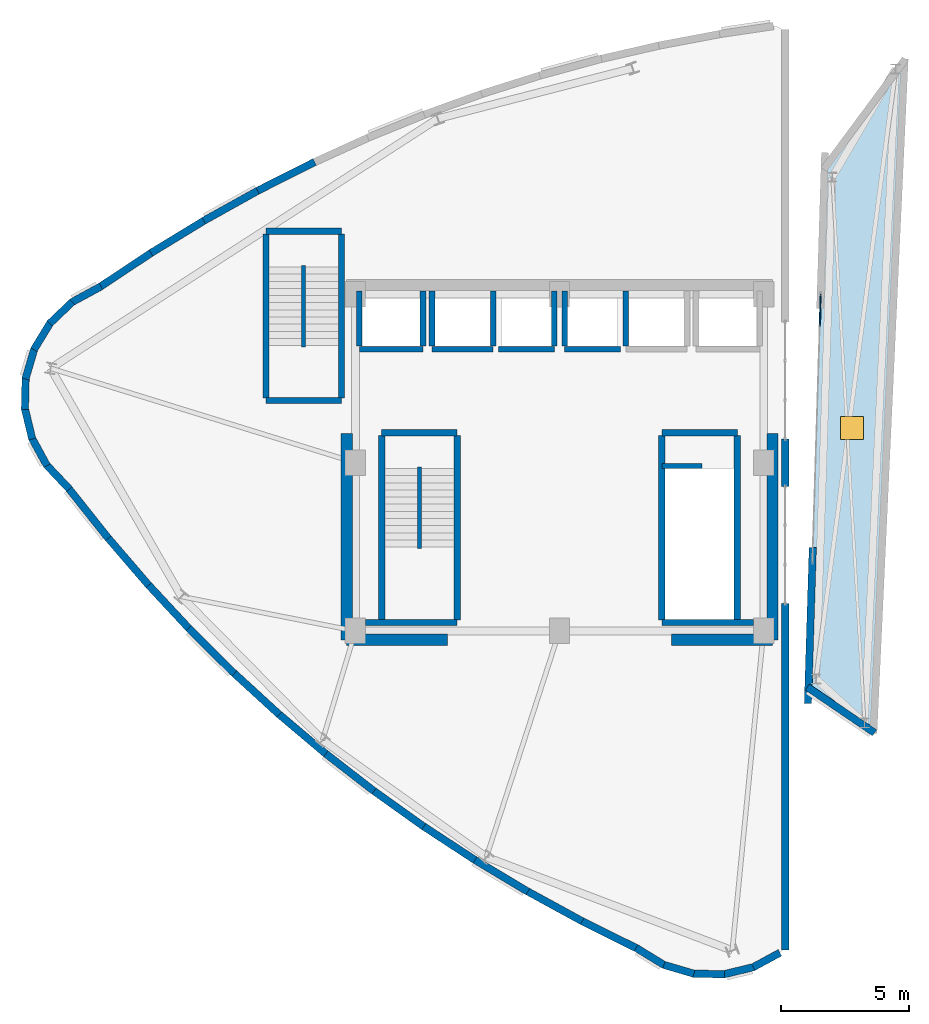
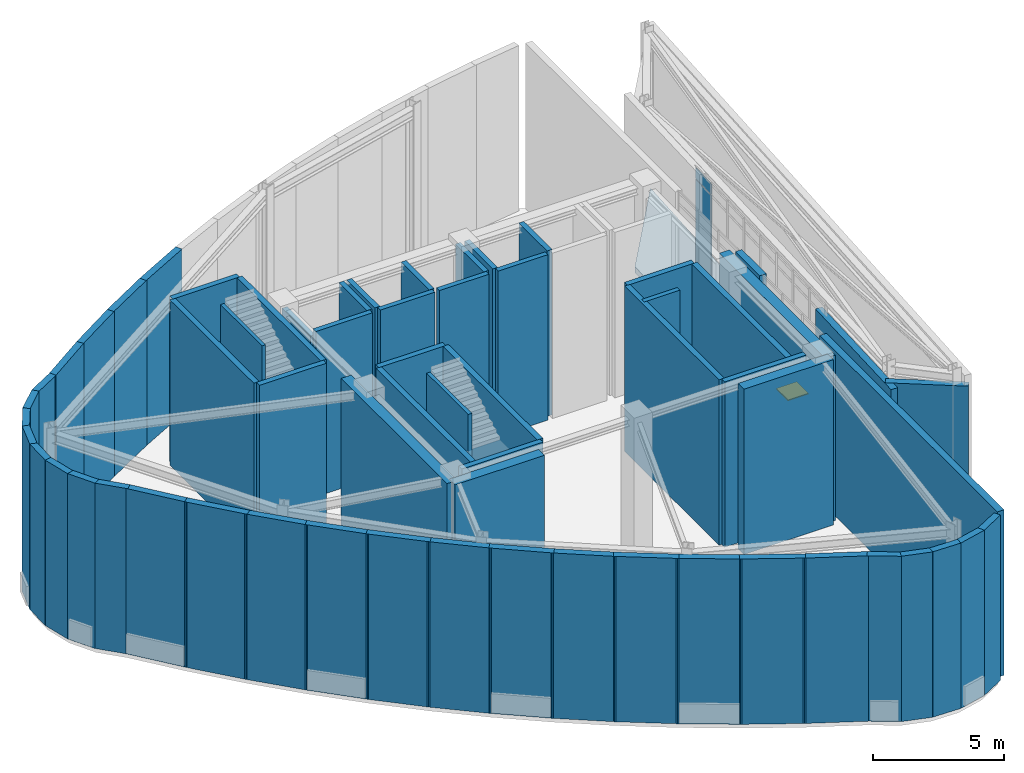
# One storey, part 10 of 12: 63 walls, 2 plates, 1 door, 1 slab, 1 opening, 1 element without a shape of its own.
"""IFC4 building model written with IfcOpenShell, lengths in metres."""

from ifc_helpers import new_model, si_unit, direction, frame, frame_2d, origin, origin_2d, place, context, subcontext, project, spatial, polyline, rectangle, outline, extrude, material, layer, layer_set, type_object, element, fill, aggregate, save


model = new_model("IFC4")

# Units and contexts
model_context = context("Model", 3, precision=1e-05, world=origin(), true_north=direction((0.0, 1.0)))
body_context = subcontext(model_context, "Body", "Model", "MODEL_VIEW")
ifc_project = project(units=[si_unit("LENGTHUNIT", "METRE"), si_unit("AREAUNIT", "SQUARE_METRE"), si_unit("VOLUMEUNIT", "CUBIC_METRE"), si_unit("PLANEANGLEUNIT", "RADIAN"), si_unit("MASSUNIT", "GRAM", prefix="KILO")], contexts=[model_context])

# Site, building, storey
site_placement = place(None, origin())
site = spatial("IfcSite", under=ifc_project, at=site_placement, CompositionType="ELEMENT")
building_placement = place(site_placement, origin())
building = spatial("IfcBuilding", under=site, at=building_placement, Name="Ndelora Gate Hotel", CompositionType="ELEMENT")
storey_placement = place(building_placement, frame((0.0, 0.0, 303.60009765625)))
storey = spatial("IfcBuildingStorey", under=building, at=storey_placement, Name="RF1", CompositionType="ELEMENT", Elevation=303.60009765625)

# Curtain wall, plates
ifc_material_1 = material(Name="Bronze Anodised Unitised Aluminium and Low-E Glass", Category="aluminium")
ifc_layer_1 = layer(ifc_material_1, 0.199951171875)
ifc_layer_set_1 = layer_set([ifc_layer_1], Name="Bronze Anodised Unitised Aluminium and Low-E Glass")
curtain_wall_type = type_object("IfcCurtainWallType", Name="CW-SYS-8", PredefinedType="NOTDEFINED", material=ifc_layer_set_1)
curtain_wall_placement = place(storey_placement, origin())
curtain_wall = element("IfcCurtainWall", 1, at=curtain_wall_placement, inside=storey, type_object=curtain_wall_type, Name="RF1 Split-Crown East Cleft Lantern Curtain Wall CW8", PredefinedType="NOTDEFINED")
ifc_material_2 = material(Name="Solar-Control Low-E Insulated Glazing", Category="glass")
ifc_layer_2 = layer(ifc_material_2, 0.048095703125)
ifc_layer_set_2 = layer_set([ifc_layer_2], Name="Solar-Control Low-E Insulated Glazing")
plate_type = type_object("IfcPlateType", Name="PL-CW-GLZ36", PredefinedType="CURTAIN_PANEL", material=ifc_layer_set_2)
plate_1_placement = place(storey_placement, frame((10.21875, 5.97509765625, 0.52392578125), z_axis=(0.0, 0.0, 1.0), x_axis=(-0.031131345484, -0.999515302198, 0.0)))
plate_1 = element("IfcPlate", 2, at=plate_1_placement, type_object=plate_type, Name="CW8 panel 1.2", PredefinedType="CURTAIN_PANEL", context=body_context, shape_type="SweptSolid", body=[
    extrude(rectangle(XDim=1.24658203125, YDim=0.048095703125, at=origin_2d()), origin(), (0.0, 0.0, 1.0), 6.6220703125),
])
plate_2_placement = place(storey_placement, frame((10.21875, 5.97509765625, 7.19384765625), z_axis=(0.0, 0.0, 1.0), x_axis=(-0.031131345484, -0.999515302198, 0.0)))
plate_2 = element("IfcPlate", 3, at=plate_2_placement, type_object=plate_type, Name="CW8 panel 1.3", PredefinedType="CURTAIN_PANEL", context=body_context, shape_type="SweptSolid", body=[
    extrude(rectangle(XDim=1.24658203125, YDim=0.048095703125, at=origin_2d()), origin(), (0.0, 0.0, 1.0), 0.471923828125),
])
aggregate(curtain_wall, [plate_1, plate_2])

# Slab, opening, door
ifc_material_3 = material(Name="Concrete C40/50", Category="concrete")
ifc_layer_3 = layer(ifc_material_3, 0.280029296875)
ifc_layer_set_3 = layer_set([ifc_layer_3], Name="Concrete C40/50")
slab_type = type_object("IfcSlabType", Name="SL-ROOF-280", PredefinedType="ROOF", material=ifc_layer_set_3)
slab_placement = place(storey_placement, frame((0.0, 0.0, -0.280029296875)))
slab = element("IfcSlab", 4, at=slab_placement, inside=storey, type_object=slab_type, Name="RF1 East Peak Lower Crown Deck", PredefinedType="ROOF", context=body_context, shape_type="SweptSolid", body=[
    extrude(outline(polyline([(9.757568359375, -8.828369140625), (12.306884765625, -10.562255859375), (13.527099609375, 15.7783203125), (10.39208984375, 11.540771484375), (9.757568359375, -8.828369140625)]), holes=[polyline([(11.01708984375, 0.906005859375), (11.9169921875, 0.906005859375), (11.9169921875, 1.805908203125), (11.01708984375, 1.805908203125), (11.01708984375, 0.906005859375)])]), origin(), (0.0, 0.0, 1.0), 0.280029296875),
])
opening_placement = place(slab_placement, frame((11.467041015625, 1.35595703125, 0.0)))
opening = element("IfcOpeningElement", 5, at=opening_placement, cuts=slab, Name="Opening RH-1", PredefinedType="OPENING", context=body_context, shape_type="SweptSolid", body=[
    extrude(rectangle(XDim=0.89990234375, YDim=0.89990234375, at=origin_2d()), frame((0.0, 0.0, -0.010009765625)), (0.0, 0.0, 1.0), 0.300048828125),
])
ifc_material_4 = material(Name="Thermal-Break Powder-Coated Aluminium Roof Access Hatch", Category="aluminium")
door_type = type_object("IfcDoorType", Name="DR-HATCH-900", OperationType="NOTDEFINED", PredefinedType="TRAPDOOR", material=ifc_material_4)
door_placement = place(opening_placement, frame((0.0, 0.0, 0.22998046875)))
door = element("IfcDoor", 6, at=door_placement, inside=storey, type_object=door_type, Name="RF1 East Peak Deck Maintenance Access Hatch RH-1", OperationType="SINGLE_SWING_LEFT", OverallHeight=0.89990234375, OverallWidth=0.89990234375, PredefinedType="TRAPDOOR", context=body_context, shape_type="SweptSolid", body=[
    extrude(rectangle(XDim=0.89990234375, YDim=0.89990234375, at=origin_2d()), origin(), (0.0, 0.0, 1.0), 0.050048828125),
])
fill(opening, door)

# Walls
ifc_material_5 = material(Name="Concrete C50/60", Category="concrete")
ifc_layer_4 = layer(ifc_material_5, 0.449951171875)
ifc_layer_set_4 = layer_set([ifc_layer_4], Name="Concrete C50/60")
wall_type_1 = type_object("IfcWallType", Name="WL-CORE-450", PredefinedType="SHEAR", material=ifc_layer_set_4)
for number, where, z_axis, x_axis, name in (
    (7, (-8.35009765625, -6.949951171875, 0.0), (0.0, 0.0, 1.0), (1.0, 0.0, 0.0), "RF1 Core Shear Wall S-W"),
    (8, (4.39990234375, -6.949951171875, 0.0), (0.0, 0.0, 1.0), (1.0, 0.0, 0.0), "RF1 Core Shear Wall S-E"),
):
    element("IfcWall", number, at=place(storey_placement, frame(where, z_axis=z_axis, x_axis=x_axis)), inside=storey, type_object=wall_type_1, Name=name, PredefinedType="SHEAR", context=body_context, shape_type="SweptSolid", body=[
        extrude(rectangle(XDim=3.9501953125, YDim=0.449951171875, at=frame_2d((1.97509765625, 0.0))), origin(), (0.0, 0.0, 1.0), 7.719970703125),
    ])
for number, where, z_axis, x_axis, name in (
    (9, (-8.35009765625, -6.949951171875, 0.0), (0.0, 0.0, 1.0), (0.0, 1.0, 0.0), "RF1 Core Shear Wall W"),
    (10, (8.35009765625, -6.949951171875, 0.0), (0.0, 0.0, 1.0), (0.0, 1.0, 0.0), "RF1 Core Shear Wall E"),
):
    element("IfcWall", number, at=place(storey_placement, frame(where, z_axis=z_axis, x_axis=x_axis)), inside=storey, type_object=wall_type_1, Name=name, PredefinedType="SHEAR", context=body_context, shape_type="SweptSolid", body=[
        extrude(rectangle(XDim=8.099853515625, YDim=0.449951171875, at=frame_2d((4.0498046875, 0.0))), origin(), (0.0, 0.0, 1.0), 7.719970703125),
    ])
ifc_layer_5 = layer(ifc_material_3, 0.199951171875)
ifc_layer_set_5 = layer_set([ifc_layer_5], Name="Concrete C40/50")
wall_type_2 = type_object("IfcWallType", Name="WL-FIRE-200", PredefinedType="PARTITIONING", material=ifc_layer_set_5)
wall_1_placement = place(storey_placement, frame((4.010009765625, -0.1298828125, 0.0), z_axis=(0.0, 0.0, 1.0), x_axis=(1.0, 0.0, 0.0)))
element("IfcWall", 11, at=wall_1_placement, inside=storey, type_object=wall_type_2, Name="RF1 Interior Wall IW-2", PredefinedType="PARTITIONING", context=body_context, shape_type="SweptSolid", body=[
    extrude(rectangle(XDim=1.580078125, YDim=0.199951171875, at=frame_2d((0.7900390625, 0.0))), origin(), (0.0, 0.0, 1.0), 7.719970703125),
])
ifc_material_6 = material(Name="Precast concrete C40/50", Category="concrete")
ifc_layer_6 = layer(ifc_material_6, 0.2900390625)
ifc_layer_set_6 = layer_set([ifc_layer_6], Name="Precast concrete C40/50")
wall_type_3 = type_object("IfcWallType", Name="WL-PARA-290", PredefinedType="PARAPET", material=ifc_layer_set_6)
wall_2_placement = place(storey_placement, frame((8.85009765625, -5.52001953125, 0.0), z_axis=(0.0, 0.0, 1.0), x_axis=(0.0, -1.0, 0.0)))
element("IfcWall", 12, at=wall_2_placement, inside=storey, type_object=wall_type_3, Name="RF1 West Crown Canyon Brick Pier 1", PredefinedType="PARAPET", context=body_context, shape_type="SweptSolid", body=[
    extrude(rectangle(XDim=13.590576171875, YDim=0.2900390625, at=frame_2d((6.79541015625, 0.0))), origin(), (0.0, 0.0, 1.0), 7.719970703125),
])
wall_3_placement = place(storey_placement, frame((8.85009765625, 0.929931640625, 0.0), z_axis=(0.0, 0.0, 1.0), x_axis=(0.0, -1.0, 0.0)))
element("IfcWall", 13, at=wall_3_placement, inside=storey, type_object=wall_type_3, Name="RF1 West Crown Canyon Brick Pier 2", PredefinedType="PARAPET", context=body_context, shape_type="SweptSolid", body=[
    extrude(rectangle(XDim=1.85986328125, YDim=0.2900390625, at=frame_2d((0.929931640625, 0.0))), origin(), (0.0, 0.0, 1.0), 7.719970703125),
])
wall_4_placement = place(storey_placement, frame((9.738525390625, -9.439453125, 0.0), z_axis=(0.0, 0.0, 1.0), x_axis=(0.031147484759, 0.999514799387, 0.0)))
element("IfcWall", 14, at=wall_4_placement, inside=storey, type_object=wall_type_3, Name="RF1 East Crown Canyon Brick Pier 1", PredefinedType="PARAPET", context=body_context, shape_type="SweptSolid", body=[
    extrude(rectangle(XDim=6.11376953125, YDim=0.2900390625, at=frame_2d((3.056884765625, 0.0))), origin(), (0.0, 0.0, 1.0), 7.25),
])
wall_5_placement = place(storey_placement, frame((-19.128173828125, 6.2841796875, 0.0), z_axis=(0.0, 0.0, 1.0), x_axis=(0.878173375728, 0.478342473719, 0.0)))
element("IfcWall", 15, at=wall_5_placement, inside=storey, type_object=wall_type_3, Name="RF1 Crown Enclosure Parapet Wall WPK-1", PredefinedType="PARAPET", context=body_context, shape_type="SweptSolid", body=[
    extrude(rectangle(XDim=1.30908203125, YDim=0.2900390625, at=frame_2d((0.654541015625, 0.0))), origin(), (0.0, 0.0, 1.0), 7.719970703125),
])
for number, where, z_axis, x_axis, name in (
    (16, (-19.989013671875, 5.454345703125, 0.0), (0.0, 0.0, 1.0), (0.72422318741, 0.689565642138, 0.0), "RF1 Crown Enclosure Parapet Wall WPK-3"),
    (17, (-20.606201171875, 4.429931640625, 0.0), (0.0, 0.0, 1.0), (0.521216361952, 0.853424574308, 0.0), "RF1 Crown Enclosure Parapet Wall WPK-5"),
    (18, (-20.93701171875, 3.28076171875, 0.0), (0.0, 0.0, 1.0), (0.282392736693, 0.95929888057, 0.0), "RF1 Crown Enclosure Parapet Wall WPK-7"),
    (19, (-20.95947265625, 2.085205078125, 0.0), (0.0, 0.0, 1.0), (0.024698579996, 0.999694943543, 0.0), "RF1 Crown Enclosure Parapet Wall WPK-9"),
    (20, (-20.67138671875, 0.92431640625, 0.0), (0.0, 0.0, 1.0), (-0.234796268819, 0.972044603991, 0.0), "RF1 Crown Enclosure Parapet Wall WPK-11"),
):
    element("IfcWall", number, at=place(storey_placement, frame(where, z_axis=z_axis, x_axis=x_axis)), inside=storey, type_object=wall_type_3, Name=name, PredefinedType="PARAPET", context=body_context, shape_type="SweptSolid", body=[
        extrude(rectangle(XDim=1.225830078125, YDim=0.2900390625, at=frame_2d((0.61279296875, 0.0))), origin(), (0.0, 0.0, 1.0), 7.719970703125),
    ])
wall_6_placement = place(storey_placement, frame((-20.0927734375, -0.122314453125, 0.0), z_axis=(0.0, 0.0, 1.0), x_axis=(-0.478321862725, 0.878184602256, 0.0)))
element("IfcWall", 21, at=wall_6_placement, inside=storey, type_object=wall_type_3, Name="RF1 Crown Enclosure Parapet Wall WPK-13", PredefinedType="PARAPET", context=body_context, shape_type="SweptSolid", body=[
    extrude(rectangle(XDim=1.22607421875, YDim=0.2900390625, at=frame_2d((0.613037109375, 0.0))), origin(), (0.0, 0.0, 1.0), 7.719970703125),
])
wall_7_placement = place(storey_placement, frame((-19.214599609375, -1.038818359375, 0.0), z_axis=(0.0, 0.0, 1.0), x_axis=(-0.687489239636, 0.726194564414, 0.0)))
element("IfcWall", 22, at=wall_7_placement, inside=storey, type_object=wall_type_3, Name="RF1 Crown Enclosure Parapet Wall WPK-15", PredefinedType="PARAPET", context=body_context, shape_type="SweptSolid", body=[
    extrude(rectangle(XDim=1.29931640625, YDim=0.2900390625, at=frame_2d((0.649658203125, 0.0))), origin(), (0.0, 0.0, 1.0), 7.719970703125),
])
wall_8_placement = place(storey_placement, frame((-17.69140625, -2.9658203125, 0.0), z_axis=(0.0, 0.0, 1.0), x_axis=(-0.621650447108, 0.783294785895, 0.0)))
element("IfcWall", 23, at=wall_8_placement, inside=storey, type_object=wall_type_3, Name="RF1 Crown Enclosure Parapet Wall WPK-16", PredefinedType="PARAPET", context=body_context, shape_type="SweptSolid", body=[
    extrude(rectangle(XDim=2.566162109375, YDim=0.2900390625, at=frame_2d((1.283203125, 0.0))), origin(), (0.0, 0.0, 1.0), 7.719970703125),
])
wall_9_placement = place(storey_placement, frame((-16.107177734375, -4.806640625, 0.0), z_axis=(0.0, 0.0, 1.0), x_axis=(-0.651662151114, 0.758509354462, 0.0)))
element("IfcWall", 24, at=wall_9_placement, inside=storey, type_object=wall_type_3, Name="RF1 Crown Enclosure Parapet Wall WPK-17", PredefinedType="PARAPET", context=body_context, shape_type="SweptSolid", body=[
    extrude(rectangle(XDim=2.53857421875, YDim=0.2900390625, at=frame_2d((1.269287109375, 0.0))), origin(), (0.0, 0.0, 1.0), 7.719970703125),
])
wall_10_placement = place(storey_placement, frame((-14.4619140625, -6.572021484375, 0.0), z_axis=(0.0, 0.0, 1.0), x_axis=(-0.681100323402, 0.732190104728, 0.0)))
element("IfcWall", 25, at=wall_10_placement, inside=storey, type_object=wall_type_3, Name="RF1 Crown Enclosure Parapet Wall WPK-18", PredefinedType="PARAPET", context=body_context, shape_type="SweptSolid", body=[
    extrude(rectangle(XDim=2.523193359375, YDim=0.2900390625, at=frame_2d((1.26171875, 0.0))), origin(), (0.0, 0.0, 1.0), 7.719970703125),
])
wall_11_placement = place(storey_placement, frame((-12.755859375, -8.26171875, 0.0), z_axis=(0.0, 0.0, 1.0), x_axis=(-0.709823779942, 0.704379302243, 0.0)))
element("IfcWall", 26, at=wall_11_placement, inside=storey, type_object=wall_type_3, Name="RF1 Crown Enclosure Parapet Wall WPK-19", PredefinedType="PARAPET", context=body_context, shape_type="SweptSolid", body=[
    extrude(rectangle(XDim=2.51123046875, YDim=0.2900390625, at=frame_2d((1.255615234375, 0.0))), origin(), (0.0, 0.0, 1.0), 7.719970703125),
])
wall_12_placement = place(storey_placement, frame((-10.989013671875, -9.876220703125, 0.0), z_axis=(0.0, 0.0, 1.0), x_axis=(-0.737627628948, 0.675207731748, 0.0)))
element("IfcWall", 27, at=wall_12_placement, inside=storey, type_object=wall_type_3, Name="RF1 Crown Enclosure Parapet Wall WPK-20", PredefinedType="PARAPET", context=body_context, shape_type="SweptSolid", body=[
    extrude(rectangle(XDim=2.503173828125, YDim=0.2900390625, at=frame_2d((1.25146484375, 0.0))), origin(), (0.0, 0.0, 1.0), 7.719970703125),
])
wall_13_placement = place(storey_placement, frame((-9.161376953125, -11.415283203125, 0.0), z_axis=(0.0, 0.0, 1.0), x_axis=(-0.764315556833, 0.644842406781, 0.0)))
element("IfcWall", 28, at=wall_13_placement, inside=storey, type_object=wall_type_3, Name="RF1 Crown Enclosure Parapet Wall WPK-21", PredefinedType="PARAPET", context=body_context, shape_type="SweptSolid", body=[
    extrude(rectangle(XDim=2.499267578125, YDim=0.2900390625, at=frame_2d((1.24951171875, 0.0))), origin(), (0.0, 0.0, 1.0), 7.719970703125),
])
wall_14_placement = place(storey_placement, frame((-7.27294921875, -12.87890625, 0.0), z_axis=(0.0, 0.0, 1.0), x_axis=(-0.789841179094, 0.613311431336, 0.0)))
element("IfcWall", 29, at=wall_14_placement, inside=storey, type_object=wall_type_3, Name="RF1 Crown Enclosure Parapet Wall WPK-22", PredefinedType="PARAPET", context=body_context, shape_type="SweptSolid", body=[
    extrude(rectangle(XDim=2.4990234375, YDim=0.2900390625, at=frame_2d((1.24951171875, 0.0))), origin(), (0.0, 0.0, 1.0), 7.719970703125),
])
wall_15_placement = place(storey_placement, frame((-5.323486328125, -14.26708984375, 0.0), z_axis=(0.0, 0.0, 1.0), x_axis=(-0.814029925436, 0.580822933857, 0.0)))
element("IfcWall", 30, at=wall_15_placement, inside=storey, type_object=wall_type_3, Name="RF1 Crown Enclosure Parapet Wall WPK-23", PredefinedType="PARAPET", context=body_context, shape_type="SweptSolid", body=[
    extrude(rectangle(XDim=2.503173828125, YDim=0.2900390625, at=frame_2d((1.25146484375, 0.0))), origin(), (0.0, 0.0, 1.0), 7.719970703125),
])
wall_16_placement = place(storey_placement, frame((-3.313232421875, -15.580078125, 0.0), z_axis=(0.0, 0.0, 1.0), x_axis=(-0.836746876737, 0.547589868671, 0.0)))
element("IfcWall", 31, at=wall_16_placement, inside=storey, type_object=wall_type_3, Name="RF1 Crown Enclosure Parapet Wall WPK-24", PredefinedType="PARAPET", context=body_context, shape_type="SweptSolid", body=[
    extrude(rectangle(XDim=2.510986328125, YDim=0.2900390625, at=frame_2d((1.25537109375, 0.0))), origin(), (0.0, 0.0, 1.0), 7.719970703125),
])
wall_17_placement = place(storey_placement, frame((-1.241943359375, -16.818115234375, 0.0), z_axis=(0.0, 0.0, 1.0), x_axis=(-0.857902474262, 0.513812557899, 0.0)))
element("IfcWall", 32, at=wall_17_placement, inside=storey, type_object=wall_type_3, Name="RF1 Crown Enclosure Parapet Wall WPK-25", PredefinedType="PARAPET", context=body_context, shape_type="SweptSolid", body=[
    extrude(rectangle(XDim=2.523193359375, YDim=0.2900390625, at=frame_2d((1.26171875, 0.0))), origin(), (0.0, 0.0, 1.0), 7.719970703125),
])
wall_18_placement = place(storey_placement, frame((0.890380859375, -17.98046875, 0.0), z_axis=(0.0, 0.0, 1.0), x_axis=(-0.877542510611, 0.479498844702, 0.0)))
element("IfcWall", 33, at=wall_18_placement, inside=storey, type_object=wall_type_3, Name="RF1 Crown Enclosure Parapet Wall WPK-26", PredefinedType="PARAPET", context=body_context, shape_type="SweptSolid", body=[
    extrude(rectangle(XDim=2.53857421875, YDim=0.2900390625, at=frame_2d((1.269287109375, 0.0))), origin(), (0.0, 0.0, 1.0), 7.719970703125),
])
wall_19_placement = place(storey_placement, frame((3.100830078125, -19.078125, 0.0), z_axis=(0.0, 0.0, 1.0), x_axis=(-0.895277941462, 0.445508033073, 0.0)))
element("IfcWall", 34, at=wall_19_placement, inside=storey, type_object=wall_type_3, Name="RF1 Crown Enclosure Parapet Wall WPK-27", PredefinedType="PARAPET", context=body_context, shape_type="SweptSolid", body=[
    extrude(rectangle(XDim=2.577880859375, YDim=0.2900390625, at=frame_2d((1.2890625, 0.0))), origin(), (0.0, 0.0, 1.0), 7.719970703125),
])
wall_20_placement = place(storey_placement, frame((4.121826171875, -19.70751953125, 0.0), z_axis=(0.0, 0.0, 1.0), x_axis=(-0.853318707867, 0.521389665034, 0.0)))
element("IfcWall", 35, at=wall_20_placement, inside=storey, type_object=wall_type_3, Name="RF1 Crown Enclosure Parapet Wall WPK-28", PredefinedType="PARAPET", context=body_context, shape_type="SweptSolid", body=[
    extrude(rectangle(XDim=1.309326171875, YDim=0.2900390625, at=frame_2d((0.65478515625, 0.0))), origin(), (0.0, 0.0, 1.0), 7.719970703125),
])
for number, where, z_axis, x_axis, name in (
    (36, (5.27099609375, -20.038330078125, 0.0), (0.0, 0.0, 1.0), (-0.959229011415, 0.282629976578, 0.0), "RF1 Crown Enclosure Parapet Wall WPK-30"),
    (37, (6.466552734375, -20.060546875, 0.0), (0.0, 0.0, 1.0), (-0.999694943543, 0.024698579996, 0.0), "RF1 Crown Enclosure Parapet Wall WPK-32"),
):
    element("IfcWall", number, at=place(storey_placement, frame(where, z_axis=z_axis, x_axis=x_axis)), inside=storey, type_object=wall_type_3, Name=name, PredefinedType="PARAPET", context=body_context, shape_type="SweptSolid", body=[
        extrude(rectangle(XDim=1.225830078125, YDim=0.2900390625, at=frame_2d((0.61279296875, 0.0))), origin(), (0.0, 0.0, 1.0), 7.719970703125),
    ])
wall_21_placement = place(storey_placement, frame((7.62744140625, -19.7724609375, 0.0), z_axis=(0.0, 0.0, 1.0), x_axis=(-0.97199913572, -0.234984425353, 0.0)))
element("IfcWall", 38, at=wall_21_placement, inside=storey, type_object=wall_type_3, Name="RF1 Crown Enclosure Parapet Wall WPK-34", PredefinedType="PARAPET", context=body_context, shape_type="SweptSolid", body=[
    extrude(rectangle(XDim=1.22607421875, YDim=0.2900390625, at=frame_2d((0.613037109375, 0.0))), origin(), (0.0, 0.0, 1.0), 7.719970703125),
])
wall_22_placement = place(storey_placement, frame((8.640380859375, -19.214111328125, 0.0), z_axis=(0.0, 0.0, 1.0), x_axis=(-0.878860825238, -0.477078242914, 0.0)))
element("IfcWall", 39, at=wall_22_placement, inside=storey, type_object=wall_type_3, Name="RF1 Crown Enclosure Parapet Wall WPK-36", PredefinedType="PARAPET", context=body_context, shape_type="SweptSolid", body=[
    extrude(rectangle(XDim=1.186767578125, YDim=0.2900390625, at=frame_2d((0.59326171875, 0.0))), origin(), (0.0, 0.0, 1.0), 7.719970703125),
])
wall_23_placement = place(storey_placement, frame((-11.836181640625, 10.6591796875, 0.0), z_axis=(0.0, 0.0, 1.0), x_axis=(0.892552621867, 0.450943252747, 0.0)))
element("IfcWall", 40, at=wall_23_placement, inside=storey, type_object=wall_type_3, Name="RF1 Crown Enclosure Parapet Wall WPK-60", PredefinedType="PARAPET", context=body_context, shape_type="SweptSolid", body=[
    extrude(rectangle(XDim=2.510986328125, YDim=0.2900390625, at=frame_2d((1.25537109375, 0.0))), origin(), (0.0, 0.0, 1.0), 7.719970703125),
])
wall_24_placement = place(storey_placement, frame((-13.94384765625, 9.484619140625, 0.0), z_axis=(0.0, 0.0, 1.0), x_axis=(0.873960918974, 0.485996205856, 0.0)))
element("IfcWall", 41, at=wall_24_placement, inside=storey, type_object=wall_type_3, Name="RF1 Crown Enclosure Parapet Wall WPK-61", PredefinedType="PARAPET", context=body_context, shape_type="SweptSolid", body=[
    extrude(rectangle(XDim=2.522705078125, YDim=0.2900390625, at=frame_2d((1.26123046875, 0.0))), origin(), (0.0, 0.0, 1.0), 7.719970703125),
])
wall_25_placement = place(storey_placement, frame((-16.0166015625, 8.21923828125, 0.0), z_axis=(0.0, 0.0, 1.0), x_axis=(0.854010909552, 0.520255097395, 0.0)))
element("IfcWall", 42, at=wall_25_placement, inside=storey, type_object=wall_type_3, Name="RF1 Crown Enclosure Parapet Wall WPK-62", PredefinedType="PARAPET", context=body_context, shape_type="SweptSolid", body=[
    extrude(rectangle(XDim=2.538330078125, YDim=0.2900390625, at=frame_2d((1.26904296875, 0.0))), origin(), (0.0, 0.0, 1.0), 7.719970703125),
])
wall_26_placement = place(storey_placement, frame((-18.072509765625, 6.853759765625, 0.0), z_axis=(0.0, 0.0, 1.0), x_axis=(0.833460819708, 0.552578557322, 0.0)))
element("IfcWall", 43, at=wall_26_placement, inside=storey, type_object=wall_type_3, Name="RF1 Crown Enclosure Parapet Wall WPK-63", PredefinedType="PARAPET", context=body_context, shape_type="SweptSolid", body=[
    extrude(rectangle(XDim=2.578125, YDim=0.2900390625, at=frame_2d((1.2890625, 0.0))), origin(), (0.0, 0.0, 1.0), 7.719970703125),
])
wall_27_placement = place(storey_placement, frame((12.352294921875, -10.593017578125, 0.0), z_axis=(0.0, 0.0, 1.0), x_axis=(-0.82687387766, 0.562387402459, 0.0)))
element("IfcWall", 44, at=wall_27_placement, inside=storey, type_object=wall_type_3, Name="RF1 Crown Enclosure Parapet Wall EPK-1", PredefinedType="PARAPET", context=body_context, shape_type="SweptSolid", body=[
    extrude(rectangle(XDim=3.19287109375, YDim=0.2900390625, at=frame_2d((1.596435546875, 0.0))), origin(), (0.0, 0.0, 1.0), 7.25),
])
ifc_material_7 = material(Name="Fire-Rated Gypsum Stud Partition", Category="gypsum")
ifc_layer_7 = layer(ifc_material_7, 0.159912109375)
ifc_layer_set_7 = layer_set([ifc_layer_7], Name="Fire-Rated Gypsum Stud Partition")
wall_type_4 = type_object("IfcWallType", Name="WL-PART-160", PredefinedType="PARTITIONING", material=ifc_layer_set_7)
wall_28_placement = place(storey_placement, frame((-5.489990234375, -0.179931640625, 0.0), z_axis=(0.0, 0.0, 1.0), x_axis=(0.0, -1.0, 0.0)))
element("IfcWall", 45, at=wall_28_placement, inside=storey, type_object=wall_type_4, Name="RF1 Interior Wall IW-4", PredefinedType="PARTITIONING", context=body_context, shape_type="SweptSolid", body=[
    extrude(rectangle(XDim=3.18017578125, YDim=0.159912109375, at=frame_2d((1.590087890625, 0.0))), origin(), (0.0, 0.0, 1.0), 7.719970703125),
])
wall_29_placement = place(storey_placement, frame((-10.030029296875, 7.719970703125, 0.0), z_axis=(0.0, 0.0, 1.0), x_axis=(0.0, -1.0, 0.0)))
element("IfcWall", 46, at=wall_29_placement, inside=storey, type_object=wall_type_4, Name="RF1 Interior Wall IW-4", PredefinedType="PARTITIONING", context=body_context, shape_type="SweptSolid", body=[
    extrude(rectangle(XDim=3.179931640625, YDim=0.159912109375, at=frame_2d((1.58984375, 0.0))), origin(), (0.0, 0.0, 1.0), 7.719970703125),
])
ifc_layer_8 = layer(ifc_material_3, 0.219970703125)
ifc_layer_set_8 = layer_set([ifc_layer_8], Name="Concrete C40/50")
wall_type_5 = type_object("IfcWallType", Name="WL-SHAFT-220", PredefinedType="PARTITIONING", material=ifc_layer_set_8)
wall_30_placement = place(storey_placement, frame((-7.85009765625, 4.449951171875, 0.0), z_axis=(0.0, 0.0, 1.0), x_axis=(1.0, 0.0, 0.0)))
element("IfcWall", 47, at=wall_30_placement, inside=storey, type_object=wall_type_5, Name="RF1 Interior Wall IW-1", PredefinedType="PARTITIONING", context=body_context, shape_type="SweptSolid", body=[
    extrude(rectangle(XDim=2.5, YDim=0.219970703125, at=frame_2d((1.25, 0.0))), origin(), (0.0, 0.0, 1.0), 7.719970703125),
])
wall_31_placement = place(storey_placement, frame((-7.85009765625, 4.570068359375, 0.0), z_axis=(0.0, 0.0, 1.0), x_axis=(0.0, 1.0, 0.0)))
element("IfcWall", 48, at=wall_31_placement, inside=storey, type_object=wall_type_5, Name="RF1 Interior Wall IW-1", PredefinedType="PARTITIONING", context=body_context, shape_type="SweptSolid", body=[
    extrude(rectangle(XDim=2.155029296875, YDim=0.219970703125, at=frame_2d((1.07763671875, 0.0))), origin(), (0.0, 0.0, 1.0), 7.39990234375),
])
wall_32_placement = place(storey_placement, frame((-5.35009765625, 4.570068359375, 0.0), z_axis=(0.0, 0.0, 1.0), x_axis=(0.0, 1.0, 0.0)))
element("IfcWall", 49, at=wall_32_placement, inside=storey, type_object=wall_type_5, Name="RF1 Interior Wall IW-1", PredefinedType="PARTITIONING", context=body_context, shape_type="SweptSolid", body=[
    extrude(rectangle(XDim=2.155029296875, YDim=0.219970703125, at=frame_2d((1.07763671875, 0.0))), origin(), (0.0, 0.0, 1.0), 7.719970703125),
])
wall_33_placement = place(storey_placement, frame((-5.0, 4.449951171875, 0.0), z_axis=(0.0, 0.0, 1.0), x_axis=(1.0, 0.0, 0.0)))
element("IfcWall", 50, at=wall_33_placement, inside=storey, type_object=wall_type_5, Name="RF1 Interior Wall IW-1", PredefinedType="PARTITIONING", context=body_context, shape_type="SweptSolid", body=[
    extrude(rectangle(XDim=2.39990234375, YDim=0.219970703125, at=frame_2d((1.199951171875, 0.0))), origin(), (0.0, 0.0, 1.0), 7.719970703125),
])
for number, where, z_axis, x_axis, name in (
    (51, (-5.0, 4.570068359375, 0.0), (0.0, 0.0, 1.0), (0.0, 1.0, 0.0), "RF1 Interior Wall IW-1"),
    (52, (-2.60009765625, 4.570068359375, 0.0), (0.0, 0.0, 1.0), (0.0, 1.0, 0.0), "RF1 Interior Wall IW-1"),
    (53, (2.60009765625, 4.570068359375, 0.0), (0.0, 0.0, 1.0), (0.0, 1.0, 0.0), "RF1 Interior Wall IW-1"),
):
    element("IfcWall", number, at=place(storey_placement, frame(where, z_axis=z_axis, x_axis=x_axis)), inside=storey, type_object=wall_type_5, Name=name, PredefinedType="PARTITIONING", context=body_context, shape_type="SweptSolid", body=[
        extrude(rectangle(XDim=2.155029296875, YDim=0.219970703125, at=frame_2d((1.07763671875, 0.0))), origin(), (0.0, 0.0, 1.0), 7.719970703125),
    ])
wall_34_placement = place(storey_placement, frame((-2.39990234375, 4.449951171875, 0.0), z_axis=(0.0, 0.0, 1.0), x_axis=(1.0, 0.0, 0.0)))
element("IfcWall", 54, at=wall_34_placement, inside=storey, type_object=wall_type_5, Name="RF1 Interior Wall IW-1", PredefinedType="PARTITIONING", context=body_context, shape_type="SweptSolid", body=[
    extrude(rectangle(XDim=2.199951171875, YDim=0.219970703125, at=frame_2d((1.10009765625, 0.0))), origin(), (0.0, 0.0, 1.0), 7.719970703125),
])
wall_35_placement = place(storey_placement, frame((-0.199951171875, 4.570068359375, 0.0), z_axis=(0.0, 0.0, 1.0), x_axis=(0.0, 1.0, 0.0)))
element("IfcWall", 55, at=wall_35_placement, inside=storey, type_object=wall_type_5, Name="RF1 Interior Wall IW-1", PredefinedType="PARTITIONING", context=body_context, shape_type="SweptSolid", body=[
    extrude(rectangle(XDim=2.155029296875, YDim=0.219970703125, at=frame_2d((1.07763671875, 0.0))), origin(), (0.0, 0.0, 1.0), 7.719970703125),
])
wall_36_placement = place(storey_placement, frame((0.199951171875, 4.449951171875, 0.0), z_axis=(0.0, 0.0, 1.0), x_axis=(1.0, 0.0, 0.0)))
element("IfcWall", 56, at=wall_36_placement, inside=storey, type_object=wall_type_5, Name="RF1 Interior Wall IW-1", PredefinedType="PARTITIONING", context=body_context, shape_type="SweptSolid", body=[
    extrude(rectangle(XDim=2.199951171875, YDim=0.219970703125, at=frame_2d((1.10009765625, 0.0))), origin(), (0.0, 0.0, 1.0), 7.719970703125),
])
wall_37_placement = place(storey_placement, frame((0.199951171875, 4.570068359375, 0.0), z_axis=(0.0, 0.0, 1.0), x_axis=(0.0, 1.0, 0.0)))
element("IfcWall", 57, at=wall_37_placement, inside=storey, type_object=wall_type_5, Name="RF1 Interior Wall IW-1", PredefinedType="PARTITIONING", context=body_context, shape_type="SweptSolid", body=[
    extrude(rectangle(XDim=2.155029296875, YDim=0.219970703125, at=frame_2d((1.07763671875, 0.0))), origin(), (0.0, 0.0, 1.0), 7.719970703125),
])
ifc_layer_9 = layer(ifc_material_5, 0.239990234375)
ifc_layer_set_9 = layer_set([ifc_layer_9], Name="Concrete C50/60")
wall_type_6 = type_object("IfcWallType", Name="WL-STAIR-240", PredefinedType="SHEAR", material=ifc_layer_set_9)
wall_38_placement = place(storey_placement, frame((-6.969970703125, -6.159912109375, 0.0), z_axis=(0.0, 0.0, 1.0), x_axis=(0.0, 1.0, 0.0)))
element("IfcWall", 58, at=wall_38_placement, inside=storey, type_object=wall_type_6, Name="RF1 Stair Core Shear Wall SW-ST", PredefinedType="SHEAR", context=body_context, shape_type="SweptSolid", body=[
    extrude(rectangle(XDim=7.219970703125, YDim=0.239990234375, at=frame_2d((3.60986328125, 0.0))), origin(), (0.0, 0.0, 1.0), 7.719970703125),
])
wall_39_placement = place(storey_placement, frame((-7.60009765625, -6.27001953125, 0.0), z_axis=(0.0, 0.0, 1.0), x_axis=(1.0, 0.0, 0.0)))
element("IfcWall", 59, at=wall_39_placement, inside=storey, type_object=wall_type_6, Name="RF1 Stair Core Shear Wall SW-ST", PredefinedType="SHEAR", context=body_context, shape_type="SweptSolid", body=[
    extrude(rectangle(XDim=3.590087890625, YDim=0.239990234375, at=frame_2d((1.794921875, 0.0))), origin(), (0.0, 0.0, 1.0), 7.719970703125),
])
wall_40_placement = place(storey_placement, frame((-4.010009765625, -6.159912109375, 0.0), z_axis=(0.0, 0.0, 1.0), x_axis=(0.0, 1.0, 0.0)))
element("IfcWall", 60, at=wall_40_placement, inside=storey, type_object=wall_type_6, Name="RF1 Stair Core Shear Wall SW-ST", PredefinedType="SHEAR", context=body_context, shape_type="SweptSolid", body=[
    extrude(rectangle(XDim=7.219970703125, YDim=0.239990234375, at=frame_2d((3.60986328125, 0.0))), origin(), (0.0, 0.0, 1.0), 7.719970703125),
])
wall_41_placement = place(storey_placement, frame((-6.969970703125, 1.169921875, 0.0), z_axis=(0.0, 0.0, 1.0), x_axis=(1.0, 0.0, 0.0)))
element("IfcWall", 61, at=wall_41_placement, inside=storey, type_object=wall_type_6, Name="RF1 Stair Core Shear Wall SW-ST", PredefinedType="SHEAR", context=body_context, shape_type="SweptSolid", body=[
    extrude(rectangle(XDim=2.9599609375, YDim=0.239990234375, at=frame_2d((1.47998046875, 0.0))), origin(), (0.0, 0.0, 1.0), 7.719970703125),
])
for number, where, z_axis, x_axis, name in (
    (62, (4.010009765625, -6.159912109375, 0.0), (0.0, 0.0, 1.0), (0.0, 1.0, 0.0), "RF1 Stair Core Shear Wall SW-ST"),
    (63, (6.969970703125, -6.159912109375, 0.0), (0.0, 0.0, 1.0), (0.0, 1.0, 0.0), "RF1 Stair Core Shear Wall SW-ST"),
):
    element("IfcWall", number, at=place(storey_placement, frame(where, z_axis=z_axis, x_axis=x_axis)), inside=storey, type_object=wall_type_6, Name=name, PredefinedType="SHEAR", context=body_context, shape_type="SweptSolid", body=[
        extrude(rectangle(XDim=7.219970703125, YDim=0.239990234375, at=frame_2d((3.60986328125, 0.0))), origin(), (0.0, 0.0, 1.0), 7.719970703125),
    ])
wall_42_placement = place(storey_placement, frame((4.010009765625, -6.27001953125, 0.0), z_axis=(0.0, 0.0, 1.0), x_axis=(1.0, 0.0, 0.0)))
element("IfcWall", 64, at=wall_42_placement, inside=storey, type_object=wall_type_6, Name="RF1 Stair Core Shear Wall SW-ST", PredefinedType="SHEAR", context=body_context, shape_type="SweptSolid", body=[
    extrude(rectangle(XDim=3.590087890625, YDim=0.239990234375, at=frame_2d((1.794921875, 0.0))), origin(), (0.0, 0.0, 1.0), 7.719970703125),
])
wall_43_placement = place(storey_placement, frame((4.010009765625, 1.169921875, 0.0), z_axis=(0.0, 0.0, 1.0), x_axis=(1.0, 0.0, 0.0)))
element("IfcWall", 65, at=wall_43_placement, inside=storey, type_object=wall_type_6, Name="RF1 Stair Core Shear Wall SW-ST", PredefinedType="SHEAR", context=body_context, shape_type="SweptSolid", body=[
    extrude(rectangle(XDim=2.9599609375, YDim=0.239990234375, at=frame_2d((1.47998046875, 0.0))), origin(), (0.0, 0.0, 1.0), 7.719970703125),
])
wall_44_placement = place(storey_placement, frame((-11.510009765625, 2.5400390625, 0.0), z_axis=(0.0, 0.0, 1.0), x_axis=(0.0, 1.0, 0.0)))
element("IfcWall", 66, at=wall_44_placement, inside=storey, type_object=wall_type_6, Name="RF1 Stair Core Shear Wall SW-ST", PredefinedType="SHEAR", context=body_context, shape_type="SweptSolid", body=[
    extrude(rectangle(XDim=6.419921875, YDim=0.239990234375, at=frame_2d((3.2099609375, 0.0))), origin(), (0.0, 0.0, 1.0), 7.719970703125),
])
wall_45_placement = place(storey_placement, frame((-11.510009765625, 2.429931640625, 0.0), z_axis=(0.0, 0.0, 1.0), x_axis=(1.0, 0.0, 0.0)))
element("IfcWall", 67, at=wall_45_placement, inside=storey, type_object=wall_type_6, Name="RF1 Stair Core Shear Wall SW-ST", PredefinedType="SHEAR", context=body_context, shape_type="SweptSolid", body=[
    extrude(rectangle(XDim=2.9599609375, YDim=0.239990234375, at=frame_2d((1.47998046875, 0.0))), origin(), (0.0, 0.0, 1.0), 7.719970703125),
])
wall_46_placement = place(storey_placement, frame((-8.550048828125, 2.5400390625, 0.0), z_axis=(0.0, 0.0, 1.0), x_axis=(0.0, 1.0, 0.0)))
element("IfcWall", 68, at=wall_46_placement, inside=storey, type_object=wall_type_6, Name="RF1 Stair Core Shear Wall SW-ST", PredefinedType="SHEAR", context=body_context, shape_type="SweptSolid", body=[
    extrude(rectangle(XDim=6.419921875, YDim=0.239990234375, at=frame_2d((3.2099609375, 0.0))), origin(), (0.0, 0.0, 1.0), 7.719970703125),
])
wall_47_placement = place(storey_placement, frame((-11.510009765625, 9.070068359375, 0.0), z_axis=(0.0, 0.0, 1.0), x_axis=(1.0, 0.0, 0.0)))
element("IfcWall", 69, at=wall_47_placement, inside=storey, type_object=wall_type_6, Name="RF1 Stair Core Shear Wall SW-ST", PredefinedType="SHEAR", context=body_context, shape_type="SweptSolid", body=[
    extrude(rectangle(XDim=2.9599609375, YDim=0.239990234375, at=frame_2d((1.47998046875, 0.0))), origin(), (0.0, 0.0, 1.0), 7.719970703125),
])

save(model, "model.ifc")
